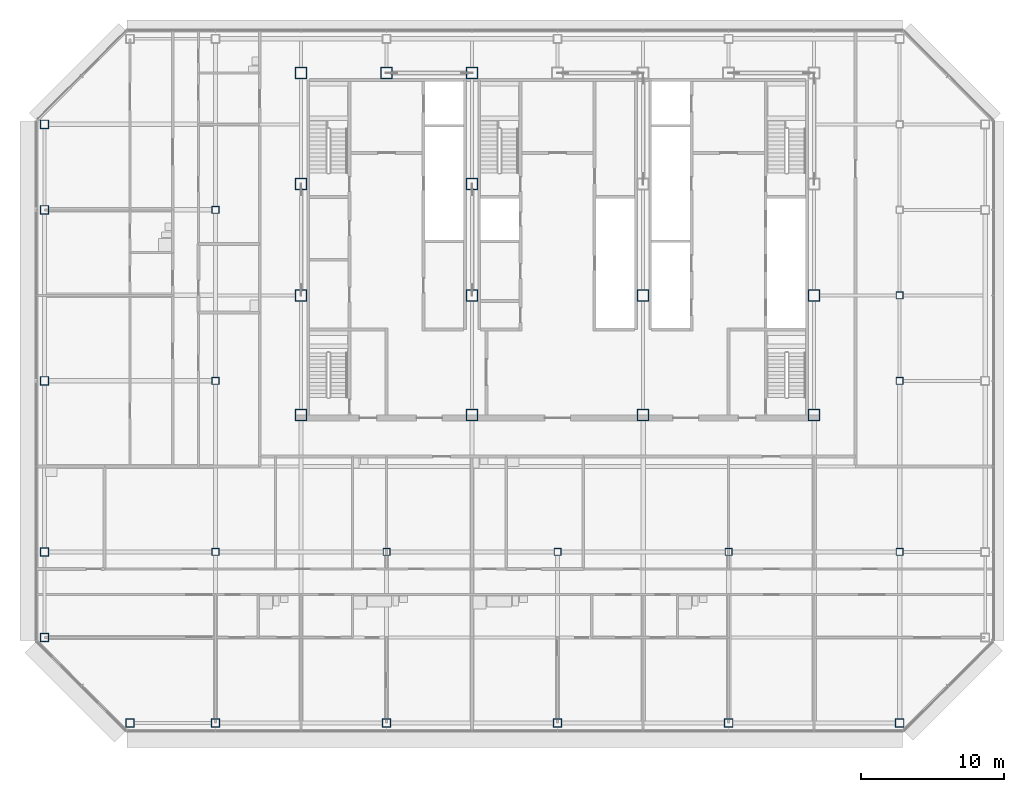
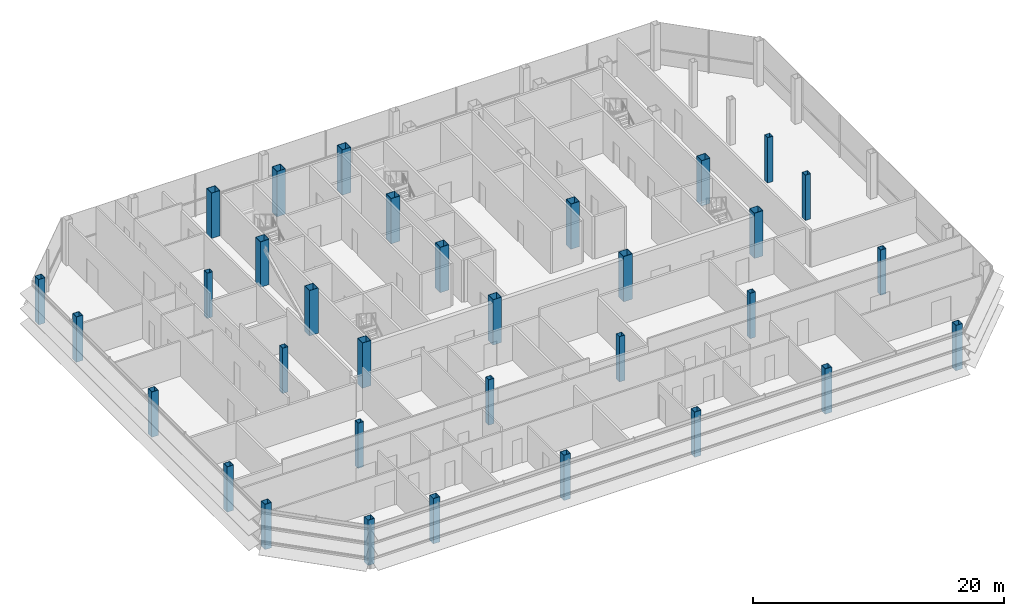
# One storey, part 1 of 29: 33 columns.
"""IFC4 building model written with IfcOpenShell, lengths in metres."""

from ifc_helpers import new_model, si_unit, direction, frame, origin, origin_2d, place, context, subcontext, project, spatial, hollow_rectangle, extrude, material, material_profile, profile_set, type_object, element, save


model = new_model("IFC4")

# Units and contexts
model_context = context("Model", 3, precision=1e-05, world=origin(), true_north=direction((0.0, 1.0)))
body_context = subcontext(model_context, "Body", "Model", "MODEL_VIEW")
ifc_project = project(units=[si_unit("LENGTHUNIT", "METRE"), si_unit("AREAUNIT", "SQUARE_METRE"), si_unit("VOLUMEUNIT", "CUBIC_METRE"), si_unit("PLANEANGLEUNIT", "RADIAN"), si_unit("MASSUNIT", "GRAM", prefix="KILO")], contexts=[model_context])

# Site, building, storey
site_placement = place(None, origin())
site = spatial("IfcSite", under=ifc_project, at=site_placement, CompositionType="ELEMENT")
building_placement = place(site_placement, origin())
building = spatial("IfcBuilding", under=site, at=building_placement, Name="Sorahane Residences", CompositionType="ELEMENT")
storey_placement = place(building_placement, frame((0.0, 0.0, 277.39990234375)))
storey = spatial("IfcBuildingStorey", under=building, at=storey_placement, Name="L66", CompositionType="ELEMENT", Elevation=277.39990234375)

# Columns
ifc_material_1 = material(Name="Steel Q355B", Category="steel")
ifc_material_profile_1 = material_profile(ifc_material_1, hollow_rectangle(XDim=0.5, YDim=0.5, WallThickness=0.02490234375, at=origin_2d()), Name="BOX 500x500x25")
ifc_profile_set_1 = profile_set([ifc_material_profile_1], Name="Steel Q355B")
column_type_1 = type_object("IfcColumnType", Name="Steel box column BOX 500x500x25 Q355B", PredefinedType="COLUMN", material=ifc_profile_set_1)
for number, where, z_axis, x_axis, name in (
    (1, (0.0, 12.0, 0.0), (0.0, 0.0, 1.0), (1.0, 0.0, 0.0), "Column L66 0/12"),
    (2, (0.0, 24.0, 0.0), (0.0, 0.0, 1.0), (1.0, 0.0, 0.0), "Column L66 0/24"),
    (3, (0.0, 36.0, 0.0), (0.0, 0.0, 1.0), (1.0, 0.0, 0.0), "Column L66 0/36"),
    (4, (12.0, 12.0, 0.0), (0.0, 0.0, 1.0), (1.0, 0.0, 0.0), "Column L66 12/12"),
    (5, (24.0, 12.0, 0.0), (0.0, 0.0, 1.0), (1.0, 0.0, 0.0), "Column L66 24/12"),
    (6, (36.0, 12.0, 0.0), (0.0, 0.0, 1.0), (1.0, 0.0, 0.0), "Column L66 36/12"),
    (7, (48.0, 12.0, 0.0), (0.0, 0.0, 1.0), (1.0, 0.0, 0.0), "Column L66 48/12"),
    (8, (48.0, 24.0, 0.0), (0.0, 0.0, 1.0), (1.0, 0.0, 0.0), "Column L66 48/24"),
    (9, (48.0, 30.0, 0.0), (0.0, 0.0, 1.0), (1.0, 0.0, 0.0), "Column L66 48/30"),
):
    element("IfcColumn", number, at=place(storey_placement, frame(where, z_axis=z_axis, x_axis=x_axis)), inside=storey, type_object=column_type_1, Name=name, PredefinedType="COLUMN", context=body_context, shape_type="SweptSolid", body=[
        extrude(hollow_rectangle(XDim=0.5, YDim=0.5, WallThickness=0.02490234375, at=origin_2d()), origin(), (0.0, 0.0, 1.0), 4.400146484375),
    ])
ifc_material_2 = material(Name="Steel Q355B", Category="steel")
ifc_material_profile_2 = material_profile(ifc_material_2, hollow_rectangle(XDim=0.60009765625, YDim=0.60009765625, WallThickness=0.028076171875, at=origin_2d()), Name="BOX 600x600x28")
ifc_profile_set_2 = profile_set([ifc_material_profile_2], Name="Steel Q355B")
column_type_2 = type_object("IfcColumnType", Name="Steel box column BOX 600x600x28 Q355B", PredefinedType="COLUMN", material=ifc_profile_set_2)
for number, where, z_axis, x_axis, name in (
    (10, (-12.0, 6.0, 0.0), (0.0, 0.0, 1.0), (1.0, 0.0, 0.0), "Column L66 m12/6"),
    (11, (-12.0, 12.0, 0.0), (0.0, 0.0, 1.0), (1.0, 0.0, 0.0), "Column L66 m12/12"),
    (12, (-12.0, 24.0, 0.0), (0.0, 0.0, 1.0), (1.0, 0.0, 0.0), "Column L66 m12/24"),
    (13, (-12.0, 36.0, 0.0), (0.0, 0.0, 1.0), (1.0, 0.0, 0.0), "Column L66 m12/36"),
    (14, (-12.0, 42.0, 0.0), (0.0, 0.0, 1.0), (1.0, 0.0, 0.0), "Column L66 m12/42"),
    (15, (-6.0, 0.0, 0.0), (0.0, 0.0, 1.0), (1.0, 0.0, 0.0), "Column L66 m6/0"),
    (16, (0.0, 0.0, 0.0), (0.0, 0.0, 1.0), (1.0, 0.0, 0.0), "Column L66 0/0"),
    (17, (12.0, 0.0, 0.0), (0.0, 0.0, 1.0), (1.0, 0.0, 0.0), "Column L66 12/0"),
    (18, (24.0, 0.0, 0.0), (0.0, 0.0, 1.0), (1.0, 0.0, 0.0), "Column L66 24/0"),
    (19, (36.0, 0.0, 0.0), (0.0, 0.0, 1.0), (1.0, 0.0, 0.0), "Column L66 36/0"),
    (20, (48.0, 0.0, 0.0), (0.0, 0.0, 1.0), (1.0, 0.0, 0.0), "Column L66 48/0"),
):
    element("IfcColumn", number, at=place(storey_placement, frame(where, z_axis=z_axis, x_axis=x_axis)), inside=storey, type_object=column_type_2, Name=name, PredefinedType="COLUMN", context=body_context, shape_type="SweptSolid", body=[
        extrude(hollow_rectangle(XDim=0.60009765625, YDim=0.60009765625, WallThickness=0.028076171875, at=origin_2d()), origin(), (0.0, 0.0, 1.0), 4.400146484375),
    ])
ifc_material_3 = material(Name="Steel Q355B", Category="steel")
ifc_material_profile_3 = material_profile(ifc_material_3, hollow_rectangle(XDim=0.800048828125, YDim=0.800048828125, WallThickness=0.031982421875, at=origin_2d()), Name="BOX 800x800x32")
ifc_profile_set_3 = profile_set([ifc_material_profile_3], Name="Steel Q355B")
column_type_3 = type_object("IfcColumnType", Name="Steel box column BOX 800x800x32 Q355B", PredefinedType="COLUMN", material=ifc_profile_set_3)
for number, where, z_axis, x_axis, name in (
    (21, (6.0, 21.60009765625, 0.0), (0.0, 0.0, 1.0), (1.0, 0.0, 0.0), "Column L66 6/21.6"),
    (22, (6.0, 30.0, 0.0), (0.0, 0.0, 1.0), (1.0, 0.0, 0.0), "Column L66 6/30"),
    (23, (6.0, 37.800048828125, 0.0), (0.0, 0.0, 1.0), (1.0, 0.0, 0.0), "Column L66 6/37.8"),
    (24, (6.0, 45.60009765625, 0.0), (0.0, 0.0, 1.0), (1.0, 0.0, 0.0), "Column L66 6/45.6"),
    (25, (12.0, 45.60009765625, 0.0), (0.0, 0.0, 1.0), (1.0, 0.0, 0.0), "Column L66 12/45.6"),
    (26, (18.0, 21.60009765625, 0.0), (0.0, 0.0, 1.0), (1.0, 0.0, 0.0), "Column L66 18/21.6"),
    (27, (18.0, 30.0, 0.0), (0.0, 0.0, 1.0), (1.0, 0.0, 0.0), "Column L66 18/30"),
    (28, (18.0, 37.800048828125, 0.0), (0.0, 0.0, 1.0), (1.0, 0.0, 0.0), "Column L66 18/37.8"),
    (29, (18.0, 45.60009765625, 0.0), (0.0, 0.0, 1.0), (1.0, 0.0, 0.0), "Column L66 18/45.6"),
    (30, (30.0, 21.60009765625, 0.0), (0.0, 0.0, 1.0), (1.0, 0.0, 0.0), "Column L66 30/21.6"),
    (31, (30.0, 30.0, 0.0), (0.0, 0.0, 1.0), (1.0, 0.0, 0.0), "Column L66 30/30"),
    (32, (42.0, 21.60009765625, 0.0), (0.0, 0.0, 1.0), (1.0, 0.0, 0.0), "Column L66 42/21.6"),
    (33, (42.0, 30.0, 0.0), (0.0, 0.0, 1.0), (1.0, 0.0, 0.0), "Column L66 42/30"),
):
    element("IfcColumn", number, at=place(storey_placement, frame(where, z_axis=z_axis, x_axis=x_axis)), inside=storey, type_object=column_type_3, Name=name, PredefinedType="COLUMN", context=body_context, shape_type="SweptSolid", body=[
        extrude(hollow_rectangle(XDim=0.800048828125, YDim=0.800048828125, WallThickness=0.031982421875, at=origin_2d()), origin(), (0.0, 0.0, 1.0), 4.400146484375),
    ])

save(model, "model.ifc")
